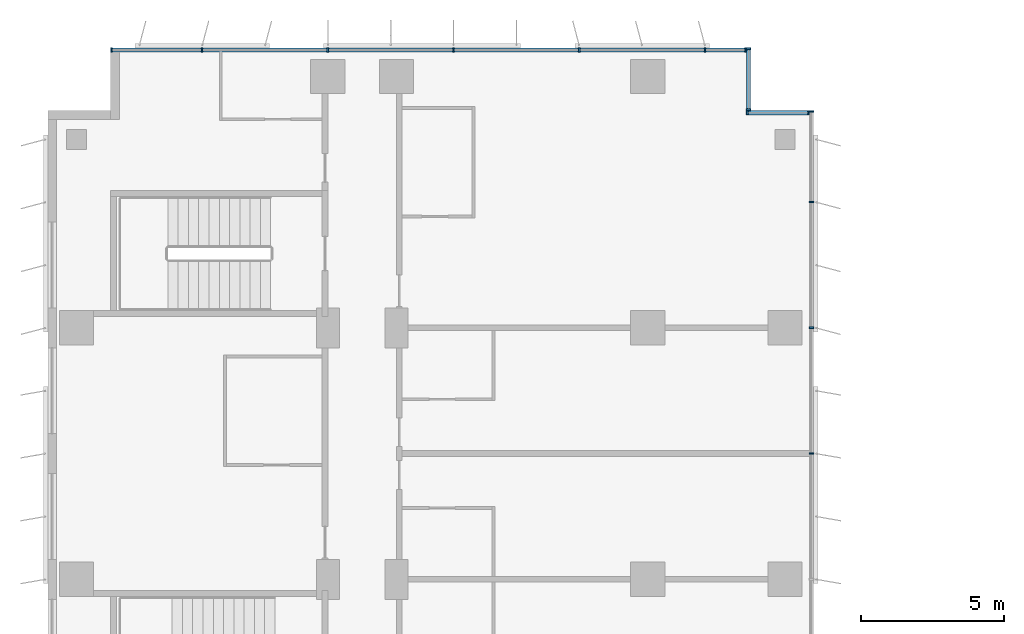
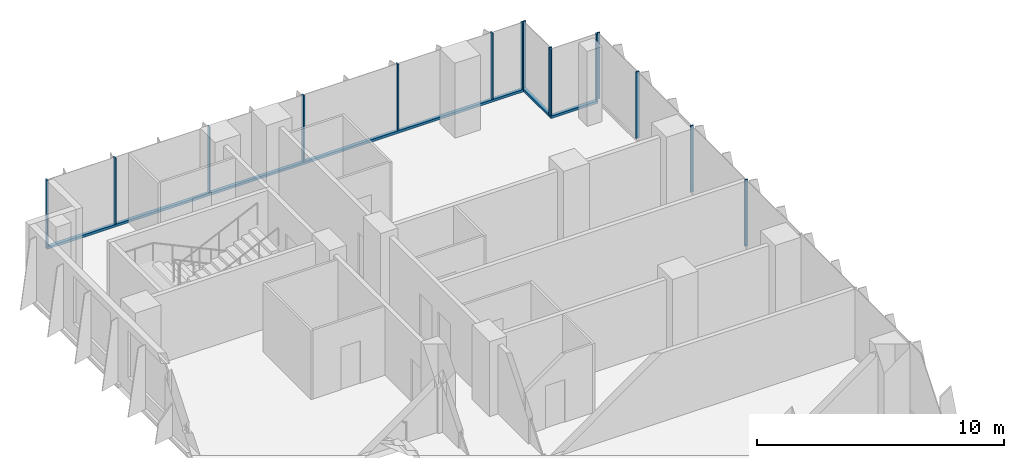
# One storey, part 9 of 22: 18 members, 4 elements without a shape of their own.
"""IFC4 building model written with IfcOpenShell, lengths in metres."""

import ifcopenshell
import ifcopenshell.guid

model = None  # the IFC model being written
_history = None  # IfcOwnerHistory: only IFC2X3 demands one
_inside = {}  # id of a spatial element -> (the spatial element, [elements in it])
_under = {}  # id of a project, library or spatial element -> (it, [spatial elements below it])
_declared = {}  # id of a project -> (the project, [libraries it declares])
_typed = {}  # id of a type object -> (the type object, [elements of that type])
_made_of = {}  # id of a material, layer set ... -> (it, [elements and type objects made of it])


def new_model(schema):
    """Start an empty IFC model of exactly this schema.

    Asked for "IFC4X3", IfcOpenShell would pick the latest addendum, in which some entities
    have other attributes; the version numbers below select the first issue.
    IFC2X3 requires an IfcOwnerHistory on every rooted entity: one is made here for all.
    """
    global model, _history
    if schema == "IFC4X3":
        model = ifcopenshell.file(schema_version=(4, 3, 0, 0))
    else:
        model = ifcopenshell.file(schema=schema)
    _inside.clear()
    _under.clear()
    _declared.clear()
    _typed.clear()
    _made_of.clear()
    _history = None
    if model.schema == "IFC2X3":
        org = make("IfcOrganization", Name="unknown")
        user = make(
            "IfcPersonAndOrganization",
            ThePerson=make("IfcPerson", FamilyName="unknown"),
            TheOrganization=org,
        )
        app = make(
            "IfcApplication",
            ApplicationDeveloper=org,
            Version="unknown",
            ApplicationFullName="unknown",
            ApplicationIdentifier="unknown",
        )
        _history = make(
            "IfcOwnerHistory",
            OwningUser=user,
            OwningApplication=app,
            ChangeAction="ADDED",
            CreationDate=0,
        )
    return model


def make(cls, **values):
    """One entity of the class cls with the attributes given. An attribute that is None is left unset."""
    return model.create_entity(
        cls, **{name: value for name, value in values.items() if value is not None}
    )


def rooted(cls, **values):
    """An entity with a GlobalId (a new one), such as an element, a storey or a relation."""
    return make(cls, GlobalId=ifcopenshell.guid.new(), OwnerHistory=_history, **values)


def si_unit(unit_type, name, prefix=None):
    """IfcSIUnit, for example si_unit("LENGTHUNIT", "METRE", prefix="MILLI")."""
    return make("IfcSIUnit", UnitType=unit_type, Prefix=prefix, Name=name)


def assignment(units):
    """IfcUnitAssignment: the units of a project."""
    return None if units is None else make("IfcUnitAssignment", Units=units)


def point(xyz):
    """IfcCartesianPoint."""
    return None if xyz is None else make("IfcCartesianPoint", Coordinates=xyz)


def direction(xyz):
    """IfcDirection."""
    return None if xyz is None else make("IfcDirection", DirectionRatios=xyz)


def frame(location, z_axis=None, x_axis=None):
    """IfcAxis2Placement3D, a coordinate frame: its origin and axes. An axis left out is left unset."""
    return make(
        "IfcAxis2Placement3D",
        Location=point(location),
        Axis=direction(z_axis),
        RefDirection=direction(x_axis),
    )


def frame_2d(location, x_axis=None):
    """IfcAxis2Placement2D, a coordinate frame in the plane: its origin and x axis."""
    return make(
        "IfcAxis2Placement2D", Location=point(location), RefDirection=direction(x_axis)
    )


def origin():
    """The frame at (0, 0, 0) with its axes left unset."""
    return frame((0.0, 0.0, 0.0))


def origin_2d():
    """The frame at (0, 0) in the plane with its x axis left unset."""
    return frame_2d((0.0, 0.0))


def place(relative_to, where):
    """IfcLocalPlacement: puts the frame where relative to a parent placement (None: the world)."""
    return make(
        "IfcLocalPlacement", PlacementRelTo=relative_to, RelativePlacement=where
    )


def context(
    kind, dimensions, precision=None, world=None, true_north=None, identifier=None
):
    """IfcGeometricRepresentationContext, for example the 3D "Model" context."""
    return make(
        "IfcGeometricRepresentationContext",
        ContextIdentifier=identifier,
        ContextType=kind,
        CoordinateSpaceDimension=dimensions,
        Precision=precision,
        WorldCoordinateSystem=world,
        TrueNorth=true_north,
    )


def subcontext(parent, identifier, kind, view, scale=None):
    """IfcGeometricRepresentationSubContext, for example "Body" below "Model"."""
    return make(
        "IfcGeometricRepresentationSubContext",
        ContextIdentifier=identifier,
        ContextType=kind,
        ParentContext=parent,
        TargetScale=scale,
        TargetView=view,
    )


def project(units=None, contexts=None):
    """IfcProject with its units and contexts."""
    return rooted(
        "IfcProject",
        Name="project",
        RepresentationContexts=contexts,
        UnitsInContext=assignment(units),
    )


def spatial(cls, under=None, at=None, **own):
    """A site, building, storey or space (cls), placed at a placement, below another one or the project."""
    s = rooted(cls, ObjectPlacement=at, **own)
    if under is not None:
        _under.setdefault(under.id(), (under, []))[1].append(s)
    return s


def profile(cls, at=None, kind="AREA", **sizes):
    """A parametric profile (cls). Its sizes go by their IFC names, for example OverallWidth=200.0."""
    return make(cls, ProfileType=kind, Position=at, **sizes)


def rectangle(**sizes):
    """IfcRectangleProfileDef."""
    return profile("IfcRectangleProfileDef", **sizes)


def extrude(swept, where, along, depth):
    """IfcExtrudedAreaSolid: the profile swept, set in the frame where, extruded along a direction by depth."""
    return make(
        "IfcExtrudedAreaSolid",
        SweptArea=swept,
        Position=where,
        ExtrudedDirection=direction(along),
        Depth=depth,
    )


def shape(context_of_items, identifier, shape_type, items):
    """IfcShapeRepresentation: the items that make up one representation, for example the "Body"."""
    return make(
        "IfcShapeRepresentation",
        ContextOfItems=context_of_items,
        RepresentationIdentifier=identifier,
        RepresentationType=shape_type,
        Items=items,
    )


def source(mapping_origin, context_of_items, identifier, shape_type, items):
    """IfcRepresentationMap: a shape defined once, which mapped items show again and again."""
    return make(
        "IfcRepresentationMap",
        MappingOrigin=mapping_origin,
        MappedRepresentation=shape(context_of_items, identifier, shape_type, items),
    )


def transform(
    local_origin,
    x_axis=None,
    y_axis=None,
    z_axis=None,
    scale=None,
    scale2=None,
    scale3=None,
    uniform=True,
):
    """IfcCartesianTransformationOperator3D, or its non-uniform kind. x_axis, y_axis, z_axis: its Axis1, 2, 3."""
    if uniform:
        return make(
            "IfcCartesianTransformationOperator3D",
            Axis1=direction(x_axis),
            Axis2=direction(y_axis),
            LocalOrigin=point(local_origin),
            Scale=scale,
            Axis3=direction(z_axis),
        )
    return make(
        "IfcCartesianTransformationOperator3DnonUniform",
        Axis1=direction(x_axis),
        Axis2=direction(y_axis),
        LocalOrigin=point(local_origin),
        Scale=scale,
        Axis3=direction(z_axis),
        Scale2=scale2,
        Scale3=scale3,
    )


def mapped(mapping_source, mapping_target):
    """IfcMappedItem: shows the shape of a source again, moved by a transform."""
    return make(
        "IfcMappedItem", MappingSource=mapping_source, MappingTarget=mapping_target
    )


def material(Name=None, Category=None):
    """IfcMaterial."""
    return make("IfcMaterial", Name=Name, Category=Category)


def material_profile(
    of_material, cross_section, Name=None, Category=None, Priority=None
):
    """IfcMaterialProfile: a cross section and its material."""
    return make(
        "IfcMaterialProfile",
        Name=Name,
        Material=of_material,
        Profile=cross_section,
        Priority=Priority,
        Category=Category,
    )


def profile_set(profiles, Name=None, composite=None):
    """IfcMaterialProfileSet."""
    return make(
        "IfcMaterialProfileSet",
        Name=Name,
        MaterialProfiles=profiles,
        CompositeProfile=composite,
    )


def made_of(thing, what):
    """Note that an element or type object is made of a material, layer set ...; save() writes the relation."""
    if what is not None:
        _made_of.setdefault(what.id(), (what, []))[1].append(thing)
    return thing


def type_object(cls, material=None, **own):
    """A type object (cls), such as IfcWallType, which elements share."""
    return made_of(rooted(cls, **own), material)


def element(
    cls,
    number,
    at=None,
    inside=None,
    cuts=None,
    type_object=None,
    material=None,
    context=None,
    identifier="Body",
    shape_type=None,
    held_by="IfcProductDefinitionShape",
    body=None,
    shapes=None,
    **own,
):
    """One element of the class cls, such as IfcWall. Its Tag is "e" and its number.

    at: its placement. inside: the storey or other place that contains it. cuts: it is an
    opening in that element (IfcRelVoidsElement). A single representation is given by context,
    identifier, shape_type and body (its items); several are given by shapes. held_by: the class
    of the entity that holds the representations. save() writes the other relations.
    """
    e = rooted(cls, Tag="e%d" % number, ObjectPlacement=at, **own)
    if body is not None:
        shapes = [shape(context, identifier, shape_type, body)]
    if shapes is not None:
        e.Representation = make(held_by, Representations=shapes)
    if inside is not None:
        _inside.setdefault(inside.id(), (inside, []))[1].append(e)
    if cuts is not None:
        rooted(
            "IfcRelVoidsElement", RelatingBuildingElement=cuts, RelatedOpeningElement=e
        )
    if type_object is not None:
        _typed.setdefault(type_object.id(), (type_object, []))[1].append(e)
    return made_of(e, material)


def aggregate(whole, parts):
    """IfcRelAggregates: a whole, such as a stair, and the parts it consists of."""
    return rooted("IfcRelAggregates", RelatingObject=whole, RelatedObjects=parts)


def save(model, path):
    """Write the relations noted so far, then the file.

    IfcRelAggregates (storeys below a building ...), IfcRelContainedInSpatialStructure (elements
    in a storey), IfcRelDefinesByType, IfcRelAssociatesMaterial and IfcRelDeclares: one each for
    every whole, place, type object, material and project.
    """
    for whole, parts in _under.values():
        aggregate(whole, parts)
    for where, things in _inside.values():
        rooted(
            "IfcRelContainedInSpatialStructure",
            RelatedElements=things,
            RelatingStructure=where,
        )
    for kind, things in _typed.values():
        rooted("IfcRelDefinesByType", RelatedObjects=things, RelatingType=kind)
    for what, things in _made_of.values():
        rooted("IfcRelAssociatesMaterial", RelatedObjects=things, RelatingMaterial=what)
    for by, libraries in _declared.values():
        rooted("IfcRelDeclares", RelatingContext=by, RelatedDefinitions=libraries)
    model.write(path)


model = new_model("IFC4")

# Units and contexts
model_context = context("Model", 3, precision=1e-05, world=origin(), true_north=direction((0.0, 1.0)))
body_context = subcontext(model_context, "Body", "Model", "MODEL_VIEW")
ifc_project = project(units=[si_unit("LENGTHUNIT", "METRE"), si_unit("AREAUNIT", "SQUARE_METRE"), si_unit("VOLUMEUNIT", "CUBIC_METRE"), si_unit("PLANEANGLEUNIT", "RADIAN"), si_unit("MASSUNIT", "GRAM", prefix="KILO")], contexts=[model_context])

# Site, building, storey
site_placement = place(None, origin())
site = spatial("IfcSite", under=ifc_project, at=site_placement, CompositionType="ELEMENT")
building_placement = place(site_placement, origin())
building = spatial("IfcBuilding", under=site, at=building_placement, Name="Kemantara Hotel Tower", CompositionType="ELEMENT")
storey_placement = place(building_placement, frame((0.0, 0.0, 94.5)))
storey = spatial("IfcBuildingStorey", under=building, at=storey_placement, Name="L22", CompositionType="ELEMENT", Elevation=94.5)

# Curtain wall, member
ifc_material_1 = material(Name="Low-E tinted double insulated glass 36 mm", Category="glass")
curtain_wall_type = type_object("IfcCurtainWallType", Name="TOWER CURTAIN WALL, FRONT FACES", PredefinedType="USERDEFINED", material=ifc_material_1)
curtain_wall_1_placement = place(storey_placement, origin())
curtain_wall_1 = element("IfcCurtainWall", 1, at=curtain_wall_1_placement, inside=storey, type_object=curtain_wall_type, Name="CW4 L22 T2-R01-1", ObjectType="TOWER CURTAIN WALL, FRONT FACES", PredefinedType="USERDEFINED")
ifc_material_2 = material(Name="Aluminium 6063-T6 bronze anodised", Category="aluminium")
ifc_material_profile_1 = material_profile(ifc_material_2, rectangle(XDim=0.14990234375, YDim=0.1201171875, at=origin_2d()), Name="TOWER CURTAIN WALL, FRONT FACES TRANSOM")
ifc_profile_set_1 = profile_set([ifc_material_profile_1], Name="Aluminium 6063-T6 bronze anodised")
member_type_1 = type_object("IfcMemberType", Name="TOWER CURTAIN WALL, FRONT FACES TRANSOM", PredefinedType="USERDEFINED", material=ifc_profile_set_1)
member_1_placement = place(storey_placement, frame((24.449951171875, 81.125, 0.06005859375), z_axis=(-1.0, 0.0, 0.0), x_axis=(0.0, -1.0, 0.0)))
member_1 = element("IfcMember", 2, at=member_1_placement, type_object=member_type_1, Name="CW4 sill transom T2-R01-1", ObjectType="TRANSOM", PredefinedType="USERDEFINED", context=body_context, shape_type="SweptSolid", body=[
    extrude(rectangle(XDim=0.14990234375, YDim=0.1201171875, at=origin_2d()), origin(), (0.0, 0.0, 1.0), 22.25),
])

curtain_wall_2_placement = place(storey_placement, origin())
curtain_wall_2 = element("IfcCurtainWall", 3, at=curtain_wall_2_placement, inside=storey, type_object=curtain_wall_type, Name="CW4 L22 T2-R00-1", ObjectType="TOWER CURTAIN WALL, FRONT FACES", PredefinedType="USERDEFINED")
member_2_placement = place(storey_placement, frame((24.52490234375, 79.0, 0.06005859375), z_axis=(0.0, 1.0, 0.0), x_axis=(-1.0, 0.0, 0.0)))
member_2 = element("IfcMember", 4, at=member_2_placement, type_object=member_type_1, Name="CW4 sill transom T2-R00-1", ObjectType="TRANSOM", PredefinedType="USERDEFINED", context=body_context, shape_type="SweptSolid", body=[
    extrude(rectangle(XDim=0.14990234375, YDim=0.1201171875, at=origin_2d()), origin(), (0.0, 0.0, 1.0), 2.199951171875),
])

curtain_wall_3_placement = place(storey_placement, origin())
curtain_wall_3 = element("IfcCurtainWall", 5, at=curtain_wall_3_placement, inside=storey, type_object=curtain_wall_type, Name="CW4 L22 T2-R15-1", ObjectType="TOWER CURTAIN WALL, FRONT FACES", PredefinedType="USERDEFINED")
member_3_placement = place(storey_placement, frame((26.64990234375, 78.925048828125, 0.06005859375), z_axis=(-1.0, 0.0, 0.0), x_axis=(0.0, -1.0, 0.0)))
member_3 = element("IfcMember", 6, at=member_3_placement, type_object=member_type_1, Name="CW4 sill transom T2-R15-1", ObjectType="TRANSOM", PredefinedType="USERDEFINED", context=body_context, shape_type="SweptSolid", body=[
    extrude(rectangle(XDim=0.14990234375, YDim=0.1201171875, at=origin_2d()), origin(), (0.0, 0.0, 1.0), 2.199951171875),
])

# Member
ifc_material_profile_2 = material_profile(ifc_material_2, rectangle(XDim=0.14990234375, YDim=0.06005859375, at=origin_2d()), Name="TOWER CURTAIN WALL, FRONT FACES MULLION")
ifc_profile_set_2 = profile_set([ifc_material_profile_2], Name="Aluminium 6063-T6 bronze anodised")
member_type_2 = type_object("IfcMemberType", Name="TOWER CURTAIN WALL, FRONT FACES MULLION", PredefinedType="MULLION", material=ifc_profile_set_2)
shared_shape = source(origin(), body_context, "Body", "SweptSolid", [
    extrude(rectangle(XDim=0.14990234375, YDim=0.06005859375, at=origin_2d()), origin(), (0.0, 0.0, 1.0), 3.27978515625),
])
member_4_placement = place(storey_placement, frame((24.419921875, 81.125, 0.1201171875), z_axis=(0.0, 0.0, 1.0), x_axis=(0.0, -1.0, 0.0)))
member_4 = element("IfcMember", 7, at=member_4_placement, type_object=member_type_2, Name="CW4 mullion T2-R01-1.1", PredefinedType="MULLION", context=body_context, shape_type="MappedRepresentation", body=[
    mapped(shared_shape, transform((0.0, 0.0, 0.0))),
])

member_5_placement = place(storey_placement, frame((23.0, 81.125, 0.1201171875), z_axis=(0.0, 0.0, 1.0), x_axis=(0.0, -1.0, 0.0)))
member_5 = element("IfcMember", 8, at=member_5_placement, type_object=member_type_2, Name="CW4 mullion T2-R01-1.2", PredefinedType="MULLION", context=body_context, shape_type="MappedRepresentation", body=[
    mapped(shared_shape, transform((0.0, 0.0, 0.0))),
])

member_6_placement = place(storey_placement, frame((18.60009765625, 81.125, 0.1201171875), z_axis=(0.0, 0.0, 1.0), x_axis=(0.0, -1.0, 0.0)))
member_6 = element("IfcMember", 9, at=member_6_placement, type_object=member_type_2, Name="CW4 mullion T2-R01-1.3", PredefinedType="MULLION", context=body_context, shape_type="MappedRepresentation", body=[
    mapped(shared_shape, transform((0.0, 0.0, 0.0))),
])

member_7_placement = place(storey_placement, frame((14.199951171875, 81.125, 0.1201171875), z_axis=(0.0, 0.0, 1.0), x_axis=(0.0, -1.0, 0.0)))
member_7 = element("IfcMember", 10, at=member_7_placement, type_object=member_type_2, Name="CW4 mullion T2-R01-1.4", PredefinedType="MULLION", context=body_context, shape_type="MappedRepresentation", body=[
    mapped(shared_shape, transform((0.0, 0.0, 0.0))),
])

member_8_placement = place(storey_placement, frame((9.800048828125, 81.125, 0.1201171875), z_axis=(0.0, 0.0, 1.0), x_axis=(0.0, -1.0, 0.0)))
member_8 = element("IfcMember", 11, at=member_8_placement, type_object=member_type_2, Name="CW4 mullion T2-R01-1.5", PredefinedType="MULLION", context=body_context, shape_type="MappedRepresentation", body=[
    mapped(shared_shape, transform((0.0, 0.0, 0.0))),
])

member_9_placement = place(storey_placement, frame((5.39990234375, 81.125, 0.1201171875), z_axis=(0.0, 0.0, 1.0), x_axis=(0.0, -1.0, 0.0)))
member_9 = element("IfcMember", 12, at=member_9_placement, type_object=member_type_2, Name="CW4 mullion T2-R01-1.6", PredefinedType="MULLION", context=body_context, shape_type="MappedRepresentation", body=[
    mapped(shared_shape, transform((0.0, 0.0, 0.0))),
])

member_10_placement = place(storey_placement, frame((2.22998046875, 81.125, 0.1201171875), z_axis=(0.0, 0.0, 1.0), x_axis=(0.0, -1.0, 0.0)))
member_10 = element("IfcMember", 13, at=member_10_placement, type_object=member_type_2, Name="CW4 mullion T2-R01-1.7", PredefinedType="MULLION", context=body_context, shape_type="MappedRepresentation", body=[
    mapped(shared_shape, transform((0.0, 0.0, 0.0))),
])

aggregate(curtain_wall_1, [member_1, member_4, member_5, member_6, member_7, member_8, member_9, member_10])

# Curtain wall, members
curtain_wall_4_placement = place(storey_placement, origin())
curtain_wall_4 = element("IfcCurtainWall", 14, at=curtain_wall_4_placement, inside=storey, type_object=curtain_wall_type, Name="CW4 L22 T2-R14-1", ObjectType="TOWER CURTAIN WALL, FRONT FACES", PredefinedType="USERDEFINED")
member_11_placement = place(storey_placement, frame((26.72509765625, 67.0, 0.1201171875), z_axis=(0.0, 0.0, 1.0), x_axis=(-1.0, 0.0, 0.0)))
member_11 = element("IfcMember", 15, at=member_11_placement, type_object=member_type_2, Name="CW4 mullion T2-R14-1.12", PredefinedType="MULLION", context=body_context, shape_type="MappedRepresentation", body=[
    mapped(shared_shape, transform((0.0, 0.0, 0.0))),
])
member_12_placement = place(storey_placement, frame((26.72509765625, 71.39990234375, 0.1201171875), z_axis=(0.0, 0.0, 1.0), x_axis=(-1.0, 0.0, 0.0)))
member_12 = element("IfcMember", 16, at=member_12_placement, type_object=member_type_2, Name="CW4 mullion T2-R14-1.13", PredefinedType="MULLION", context=body_context, shape_type="MappedRepresentation", body=[
    mapped(shared_shape, transform((0.0, 0.0, 0.0))),
])
member_13_placement = place(storey_placement, frame((26.72509765625, 75.800048828125, 0.1201171875), z_axis=(0.0, 0.0, 1.0), x_axis=(-1.0, 0.0, 0.0)))
member_13 = element("IfcMember", 17, at=member_13_placement, type_object=member_type_2, Name="CW4 mullion T2-R14-1.14", PredefinedType="MULLION", context=body_context, shape_type="MappedRepresentation", body=[
    mapped(shared_shape, transform((0.0, 0.0, 0.0))),
])
member_14_placement = place(storey_placement, frame((26.72509765625, 78.969970703125, 0.1201171875), z_axis=(0.0, 0.0, 1.0), x_axis=(-1.0, 0.0, 0.0)))
member_14 = element("IfcMember", 18, at=member_14_placement, type_object=member_type_2, Name="CW4 mullion T2-R14-1.15", PredefinedType="MULLION", context=body_context, shape_type="MappedRepresentation", body=[
    mapped(shared_shape, transform((0.0, 0.0, 0.0))),
])
aggregate(curtain_wall_4, [member_11, member_12, member_13, member_14])

# Member
member_15_placement = place(storey_placement, frame((24.52490234375, 79.030029296875, 0.1201171875), z_axis=(0.0, 0.0, 1.0), x_axis=(-1.0, 0.0, 0.0)))
member_15 = element("IfcMember", 19, at=member_15_placement, type_object=member_type_2, Name="CW4 mullion T2-R00-1.1", PredefinedType="MULLION", context=body_context, shape_type="MappedRepresentation", body=[
    mapped(shared_shape, transform((0.0, 0.0, 0.0))),
])

member_16_placement = place(storey_placement, frame((24.52490234375, 81.169921875, 0.1201171875), z_axis=(0.0, 0.0, 1.0), x_axis=(-1.0, 0.0, 0.0)))
member_16 = element("IfcMember", 20, at=member_16_placement, type_object=member_type_2, Name="CW4 mullion T2-R00-1.2", PredefinedType="MULLION", context=body_context, shape_type="MappedRepresentation", body=[
    mapped(shared_shape, transform((0.0, 0.0, 0.0))),
])

aggregate(curtain_wall_2, [member_2, member_15, member_16])

member_17_placement = place(storey_placement, frame((26.6201171875, 78.925048828125, 0.1201171875), z_axis=(0.0, 0.0, 1.0), x_axis=(0.0, -1.0, 0.0)))
member_17 = element("IfcMember", 21, at=member_17_placement, type_object=member_type_2, Name="CW4 mullion T2-R15-1.1", PredefinedType="MULLION", context=body_context, shape_type="MappedRepresentation", body=[
    mapped(shared_shape, transform((0.0, 0.0, 0.0))),
])

member_18_placement = place(storey_placement, frame((24.47998046875, 78.925048828125, 0.1201171875), z_axis=(0.0, 0.0, 1.0), x_axis=(0.0, -1.0, 0.0)))
member_18 = element("IfcMember", 22, at=member_18_placement, type_object=member_type_2, Name="CW4 mullion T2-R15-1.2", PredefinedType="MULLION", context=body_context, shape_type="MappedRepresentation", body=[
    mapped(shared_shape, transform((0.0, 0.0, 0.0))),
])

aggregate(curtain_wall_3, [member_3, member_17, member_18])

save(model, "model.ifc")
